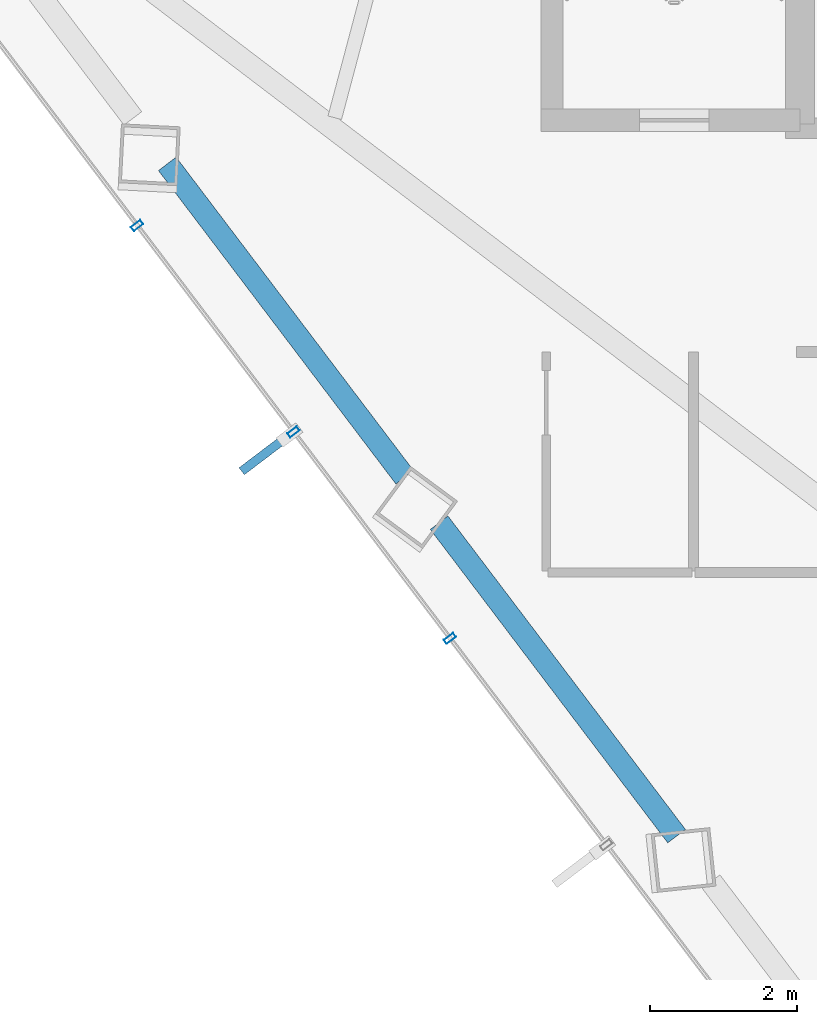
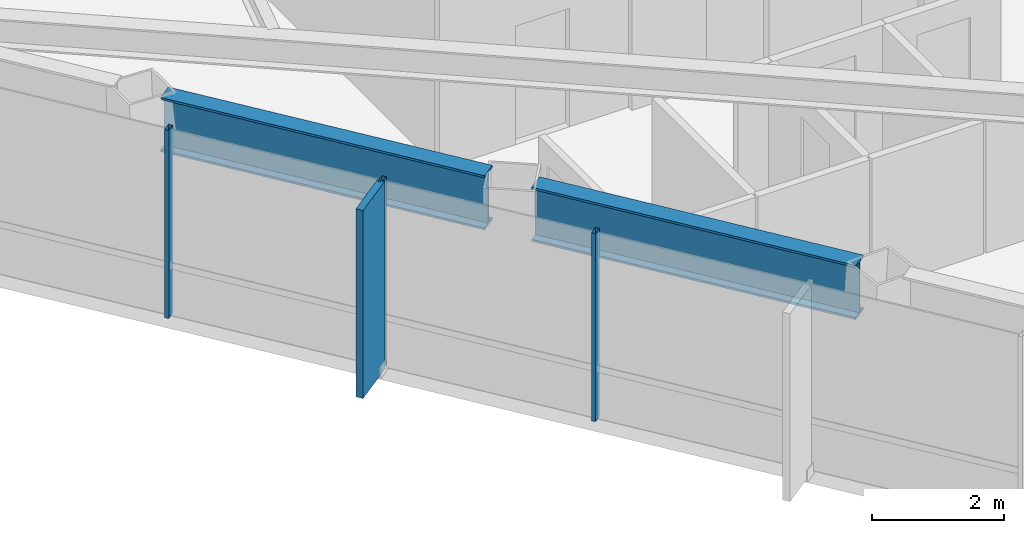
# One storey, part 4 of 28: 4 members, 2 beams, 1 element without a shape of its own.
"""IFC4 building model written with IfcOpenShell, lengths in metres."""

import ifcopenshell
import ifcopenshell.guid

model = None  # the IFC model being written
_history = None  # IfcOwnerHistory: only IFC2X3 demands one
_inside = {}  # id of a spatial element -> (the spatial element, [elements in it])
_under = {}  # id of a project, library or spatial element -> (it, [spatial elements below it])
_declared = {}  # id of a project -> (the project, [libraries it declares])
_typed = {}  # id of a type object -> (the type object, [elements of that type])
_made_of = {}  # id of a material, layer set ... -> (it, [elements and type objects made of it])


def new_model(schema):
    """Start an empty IFC model of exactly this schema.

    Asked for "IFC4X3", IfcOpenShell would pick the latest addendum, in which some entities
    have other attributes; the version numbers below select the first issue.
    IFC2X3 requires an IfcOwnerHistory on every rooted entity: one is made here for all.
    """
    global model, _history
    if schema == "IFC4X3":
        model = ifcopenshell.file(schema_version=(4, 3, 0, 0))
    else:
        model = ifcopenshell.file(schema=schema)
    _inside.clear()
    _under.clear()
    _declared.clear()
    _typed.clear()
    _made_of.clear()
    _history = None
    if model.schema == "IFC2X3":
        org = make("IfcOrganization", Name="unknown")
        user = make(
            "IfcPersonAndOrganization",
            ThePerson=make("IfcPerson", FamilyName="unknown"),
            TheOrganization=org,
        )
        app = make(
            "IfcApplication",
            ApplicationDeveloper=org,
            Version="unknown",
            ApplicationFullName="unknown",
            ApplicationIdentifier="unknown",
        )
        _history = make(
            "IfcOwnerHistory",
            OwningUser=user,
            OwningApplication=app,
            ChangeAction="ADDED",
            CreationDate=0,
        )
    return model


def make(cls, **values):
    """One entity of the class cls with the attributes given. An attribute that is None is left unset."""
    return model.create_entity(
        cls, **{name: value for name, value in values.items() if value is not None}
    )


def rooted(cls, **values):
    """An entity with a GlobalId (a new one), such as an element, a storey or a relation."""
    return make(cls, GlobalId=ifcopenshell.guid.new(), OwnerHistory=_history, **values)


def si_unit(unit_type, name, prefix=None):
    """IfcSIUnit, for example si_unit("LENGTHUNIT", "METRE", prefix="MILLI")."""
    return make("IfcSIUnit", UnitType=unit_type, Prefix=prefix, Name=name)


def assignment(units):
    """IfcUnitAssignment: the units of a project."""
    return None if units is None else make("IfcUnitAssignment", Units=units)


def point(xyz):
    """IfcCartesianPoint."""
    return None if xyz is None else make("IfcCartesianPoint", Coordinates=xyz)


def direction(xyz):
    """IfcDirection."""
    return None if xyz is None else make("IfcDirection", DirectionRatios=xyz)


def frame(location, z_axis=None, x_axis=None):
    """IfcAxis2Placement3D, a coordinate frame: its origin and axes. An axis left out is left unset."""
    return make(
        "IfcAxis2Placement3D",
        Location=point(location),
        Axis=direction(z_axis),
        RefDirection=direction(x_axis),
    )


def frame_2d(location, x_axis=None):
    """IfcAxis2Placement2D, a coordinate frame in the plane: its origin and x axis."""
    return make(
        "IfcAxis2Placement2D", Location=point(location), RefDirection=direction(x_axis)
    )


def origin():
    """The frame at (0, 0, 0) with its axes left unset."""
    return frame((0.0, 0.0, 0.0))


def origin_2d():
    """The frame at (0, 0) in the plane with its x axis left unset."""
    return frame_2d((0.0, 0.0))


def place(relative_to, where):
    """IfcLocalPlacement: puts the frame where relative to a parent placement (None: the world)."""
    return make(
        "IfcLocalPlacement", PlacementRelTo=relative_to, RelativePlacement=where
    )


def context(
    kind, dimensions, precision=None, world=None, true_north=None, identifier=None
):
    """IfcGeometricRepresentationContext, for example the 3D "Model" context."""
    return make(
        "IfcGeometricRepresentationContext",
        ContextIdentifier=identifier,
        ContextType=kind,
        CoordinateSpaceDimension=dimensions,
        Precision=precision,
        WorldCoordinateSystem=world,
        TrueNorth=true_north,
    )


def subcontext(parent, identifier, kind, view, scale=None):
    """IfcGeometricRepresentationSubContext, for example "Body" below "Model"."""
    return make(
        "IfcGeometricRepresentationSubContext",
        ContextIdentifier=identifier,
        ContextType=kind,
        ParentContext=parent,
        TargetScale=scale,
        TargetView=view,
    )


def project(units=None, contexts=None):
    """IfcProject with its units and contexts."""
    return rooted(
        "IfcProject",
        Name="project",
        RepresentationContexts=contexts,
        UnitsInContext=assignment(units),
    )


def spatial(cls, under=None, at=None, **own):
    """A site, building, storey or space (cls), placed at a placement, below another one or the project."""
    s = rooted(cls, ObjectPlacement=at, **own)
    if under is not None:
        _under.setdefault(under.id(), (under, []))[1].append(s)
    return s


def profile(cls, at=None, kind="AREA", **sizes):
    """A parametric profile (cls). Its sizes go by their IFC names, for example OverallWidth=200.0."""
    return make(cls, ProfileType=kind, Position=at, **sizes)


def rectangle(**sizes):
    """IfcRectangleProfileDef."""
    return profile("IfcRectangleProfileDef", **sizes)


def hollow_rectangle(**sizes):
    """IfcRectangleHollowProfileDef."""
    return profile("IfcRectangleHollowProfileDef", **sizes)


def i_section(**sizes):
    """IfcIShapeProfileDef."""
    return profile("IfcIShapeProfileDef", **sizes)


def extrude(swept, where, along, depth):
    """IfcExtrudedAreaSolid: the profile swept, set in the frame where, extruded along a direction by depth."""
    return make(
        "IfcExtrudedAreaSolid",
        SweptArea=swept,
        Position=where,
        ExtrudedDirection=direction(along),
        Depth=depth,
    )


def shape(context_of_items, identifier, shape_type, items):
    """IfcShapeRepresentation: the items that make up one representation, for example the "Body"."""
    return make(
        "IfcShapeRepresentation",
        ContextOfItems=context_of_items,
        RepresentationIdentifier=identifier,
        RepresentationType=shape_type,
        Items=items,
    )


def material(Name=None, Category=None):
    """IfcMaterial."""
    return make("IfcMaterial", Name=Name, Category=Category)


def layer(
    of_material, thickness, ventilated=None, Name=None, Category=None, Priority=None
):
    """IfcMaterialLayer: one layer of a wall or slab, of a material (None: an air gap)."""
    return make(
        "IfcMaterialLayer",
        Material=of_material,
        LayerThickness=thickness,
        IsVentilated=ventilated,
        Name=Name,
        Category=Category,
        Priority=Priority,
    )


def layer_set(layers, Name=None):
    """IfcMaterialLayerSet."""
    return make("IfcMaterialLayerSet", MaterialLayers=layers, LayerSetName=Name)


def material_profile(
    of_material, cross_section, Name=None, Category=None, Priority=None
):
    """IfcMaterialProfile: a cross section and its material."""
    return make(
        "IfcMaterialProfile",
        Name=Name,
        Material=of_material,
        Profile=cross_section,
        Priority=Priority,
        Category=Category,
    )


def profile_set(profiles, Name=None, composite=None):
    """IfcMaterialProfileSet."""
    return make(
        "IfcMaterialProfileSet",
        Name=Name,
        MaterialProfiles=profiles,
        CompositeProfile=composite,
    )


def made_of(thing, what):
    """Note that an element or type object is made of a material, layer set ...; save() writes the relation."""
    if what is not None:
        _made_of.setdefault(what.id(), (what, []))[1].append(thing)
    return thing


def type_object(cls, material=None, **own):
    """A type object (cls), such as IfcWallType, which elements share."""
    return made_of(rooted(cls, **own), material)


def element(
    cls,
    number,
    at=None,
    inside=None,
    cuts=None,
    type_object=None,
    material=None,
    context=None,
    identifier="Body",
    shape_type=None,
    held_by="IfcProductDefinitionShape",
    body=None,
    shapes=None,
    **own,
):
    """One element of the class cls, such as IfcWall. Its Tag is "e" and its number.

    at: its placement. inside: the storey or other place that contains it. cuts: it is an
    opening in that element (IfcRelVoidsElement). A single representation is given by context,
    identifier, shape_type and body (its items); several are given by shapes. held_by: the class
    of the entity that holds the representations. save() writes the other relations.
    """
    e = rooted(cls, Tag="e%d" % number, ObjectPlacement=at, **own)
    if body is not None:
        shapes = [shape(context, identifier, shape_type, body)]
    if shapes is not None:
        e.Representation = make(held_by, Representations=shapes)
    if inside is not None:
        _inside.setdefault(inside.id(), (inside, []))[1].append(e)
    if cuts is not None:
        rooted(
            "IfcRelVoidsElement", RelatingBuildingElement=cuts, RelatedOpeningElement=e
        )
    if type_object is not None:
        _typed.setdefault(type_object.id(), (type_object, []))[1].append(e)
    return made_of(e, material)


def aggregate(whole, parts):
    """IfcRelAggregates: a whole, such as a stair, and the parts it consists of."""
    return rooted("IfcRelAggregates", RelatingObject=whole, RelatedObjects=parts)


def save(model, path):
    """Write the relations noted so far, then the file.

    IfcRelAggregates (storeys below a building ...), IfcRelContainedInSpatialStructure (elements
    in a storey), IfcRelDefinesByType, IfcRelAssociatesMaterial and IfcRelDeclares: one each for
    every whole, place, type object, material and project.
    """
    for whole, parts in _under.values():
        aggregate(whole, parts)
    for where, things in _inside.values():
        rooted(
            "IfcRelContainedInSpatialStructure",
            RelatedElements=things,
            RelatingStructure=where,
        )
    for kind, things in _typed.values():
        rooted("IfcRelDefinesByType", RelatedObjects=things, RelatingType=kind)
    for what, things in _made_of.values():
        rooted("IfcRelAssociatesMaterial", RelatedObjects=things, RelatingMaterial=what)
    for by, libraries in _declared.values():
        rooted("IfcRelDeclares", RelatingContext=by, RelatedDefinitions=libraries)
    model.write(path)


model = new_model("IFC4")

# Units and contexts
model_context = context("Model", 3, precision=1e-05, world=origin(), true_north=direction((0.0, 1.0)))
body_context = subcontext(model_context, "Body", "Model", "MODEL_VIEW")
ifc_project = project(units=[si_unit("LENGTHUNIT", "METRE"), si_unit("AREAUNIT", "SQUARE_METRE"), si_unit("VOLUMEUNIT", "CUBIC_METRE"), si_unit("PLANEANGLEUNIT", "RADIAN"), si_unit("MASSUNIT", "GRAM", prefix="KILO")], contexts=[model_context])

# Site, building, storey
site_placement = place(None, origin())
site = spatial("IfcSite", under=ifc_project, at=site_placement, CompositionType="ELEMENT")
building_placement = place(site_placement, origin())
building = spatial("IfcBuilding", under=site, at=building_placement, Name="Zarrinselat Tower", CompositionType="ELEMENT")
storey_placement = place(building_placement, frame((0.0, 0.0, 153.340087890625)))
storey = spatial("IfcBuildingStorey", under=building, at=storey_placement, Name="L37", CompositionType="ELEMENT", Elevation=153.340087890625)

# Beams
ifc_material_1 = material(Name="Steel S460M", Category="steel")
ifc_material_profile_1 = material_profile(ifc_material_1, i_section(OverallWidth=0.302001953125, OverallDepth=1.008056640625, WebThickness=0.02099609375, FlangeThickness=0.0400390625, at=origin_2d()), Name="HEM 1000")
ifc_profile_set_1 = profile_set([ifc_material_profile_1], Name="Steel S460M")
beam_type = type_object("IfcBeamType", Name="BM-HEM1000", PredefinedType="BEAM", material=ifc_profile_set_1)
for number, where, z_axis, x_axis, name in (
    (1, (19.9951171875, 32.70751953125, 2.98583984375), (0.603871751824, -0.797081493543, 0.0), (0.797081493543, 0.603871751824, 0.0), "L37 Perimeter Spandrel Girder SP07"),
    (2, (23.69287109375, 27.826416015625, 2.98583984375), (0.603871751824, -0.797081493543, 0.0), (0.797081493543, 0.603871751824, 0.0), "L37 Perimeter Spandrel Girder SP08"),
):
    element("IfcBeam", number, at=place(storey_placement, frame(where, z_axis=z_axis, x_axis=x_axis)), inside=storey, type_object=beam_type, Name=name, PredefinedType="BEAM", context=body_context, shape_type="SweptSolid", body=[
        extrude(i_section(OverallWidth=0.302001953125, OverallDepth=1.008056640625, WebThickness=0.02099609375, FlangeThickness=0.0400390625, at=origin_2d()), origin(), (0.0, 0.0, 1.0), 5.34765625),
    ])

# Curtain wall, members
ifc_material_2 = material(Name="Extruded Aluminium Alloy EN AW-6063 T6", Category="aluminium")
ifc_layer = layer(ifc_material_2, 0.175048828125)
ifc_layer_set = layer_set([ifc_layer], Name="Extruded Aluminium Alloy EN AW-6063 T6")
curtain_wall_type = type_object("IfcCurtainWallType", Name="CWS-HTL", PredefinedType="NOTDEFINED", material=ifc_layer_set)
curtain_wall_placement = place(storey_placement, origin())
curtain_wall = element("IfcCurtainWall", 3, at=curtain_wall_placement, inside=storey, type_object=curtain_wall_type, Name="L37 Unitised Curtain Wall CW-L37-E03", PredefinedType="NOTDEFINED")
ifc_material_3 = material(Name="Extruded Aluminium Alloy EN AW-6063 T6", Category="aluminium")
ifc_material_profile_2 = material_profile(ifc_material_3, hollow_rectangle(XDim=0.070068359375, YDim=0.159912109375, WallThickness=0.00390625, at=origin_2d()), Name="RHS 160x70x4")
ifc_profile_set_2 = profile_set([ifc_material_profile_2], Name="Extruded Aluminium Alloy EN AW-6063 T6")
member_type_1 = type_object("IfcMemberType", Name="MEM-CW-MUL2", PredefinedType="MULLION", material=ifc_profile_set_2)
member_1_placement = place(storey_placement, frame((19.58544921875, 31.868408203125, 0.0), z_axis=(0.0, 0.0, 1.0), x_axis=(0.603856985167, -0.7970926806, 0.0)))
member_1 = element("IfcMember", 4, at=member_1_placement, type_object=member_type_1, Name="CW-L37-E03 Mullion 2", PredefinedType="MULLION", context=body_context, shape_type="SweptSolid", body=[
    extrude(hollow_rectangle(XDim=0.070068359375, YDim=0.159912109375, WallThickness=0.00390625, at=origin_2d()), origin(), (0.0, 0.0, 1.0), 3.489990234375),
])
member_2_placement = place(storey_placement, frame((21.712158203125, 29.06103515625, 0.0), z_axis=(0.0, 0.0, 1.0), x_axis=(0.603856985167, -0.7970926806, 0.0)))
member_2 = element("IfcMember", 5, at=member_2_placement, type_object=member_type_1, Name="CW-L37-E03 Mullion 3", PredefinedType="MULLION", context=body_context, shape_type="SweptSolid", body=[
    extrude(hollow_rectangle(XDim=0.070068359375, YDim=0.159912109375, WallThickness=0.00390625, at=origin_2d()), origin(), (0.0, 0.0, 1.0), 3.489990234375),
])
member_3_placement = place(storey_placement, frame((23.839111328125, 26.253662109375, 0.0), z_axis=(0.0, 0.0, 1.0), x_axis=(0.603856985167, -0.7970926806, 0.0)))
member_3 = element("IfcMember", 6, at=member_3_placement, type_object=member_type_1, Name="CW-L37-E03 Mullion 4", PredefinedType="MULLION", context=body_context, shape_type="SweptSolid", body=[
    extrude(hollow_rectangle(XDim=0.070068359375, YDim=0.159912109375, WallThickness=0.00390625, at=origin_2d()), origin(), (0.0, 0.0, 1.0), 3.489990234375),
])
ifc_material_4 = material(Name="Honed Cream Travertine Stone", Category="masonry")
ifc_material_profile_3 = material_profile(ifc_material_4, rectangle(XDim=0.1201171875, YDim=0.85009765625, at=origin_2d()), Name="FIN 850x120")
ifc_profile_set_3 = profile_set([ifc_material_profile_3], Name="Honed Cream Travertine Stone")
member_type_2 = type_object("IfcMemberType", Name="MEM-STONE-FIN", PredefinedType="USERDEFINED", material=ifc_profile_set_3)
member_4_placement = place(storey_placement, frame((21.345458984375, 28.783203125, 0.0), z_axis=(0.0, 0.0, 1.0), x_axis=(-0.603856985167, 0.7970926806, 0.0)))
member_4 = element("IfcMember", 7, at=member_4_placement, type_object=member_type_2, Name="L37 Stone Shading Fin CW-L37-E03-03", ObjectType="FIN", PredefinedType="USERDEFINED", context=body_context, shape_type="SweptSolid", body=[
    extrude(rectangle(XDim=0.1201171875, YDim=0.85009765625, at=origin_2d()), origin(), (0.0, 0.0, 1.0), 3.489990234375),
])
aggregate(curtain_wall, [member_1, member_2, member_4, member_3])

save(model, "model.ifc")
